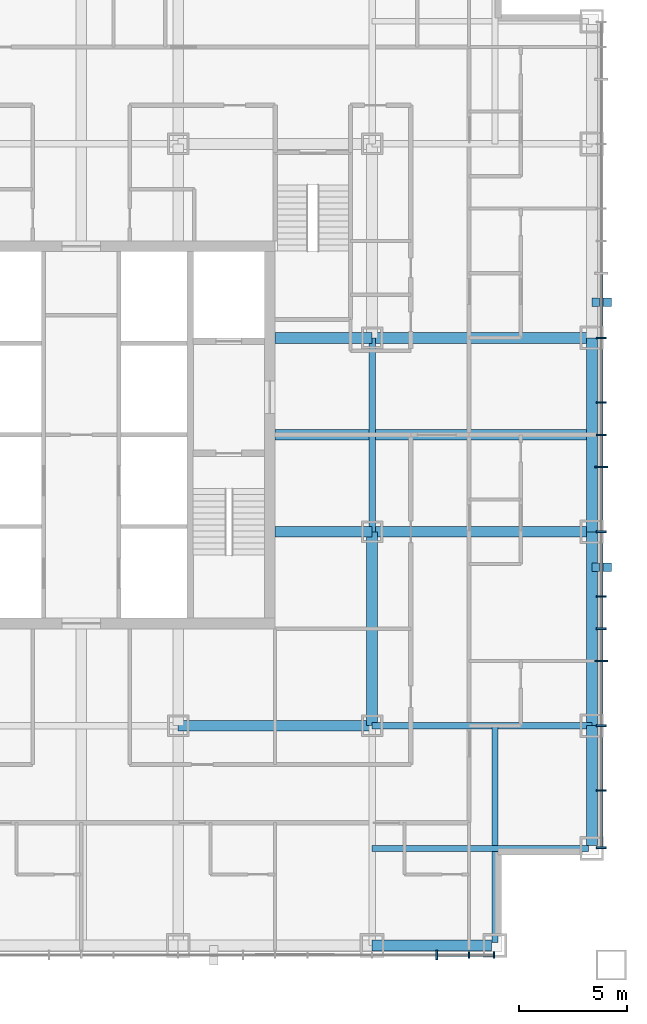
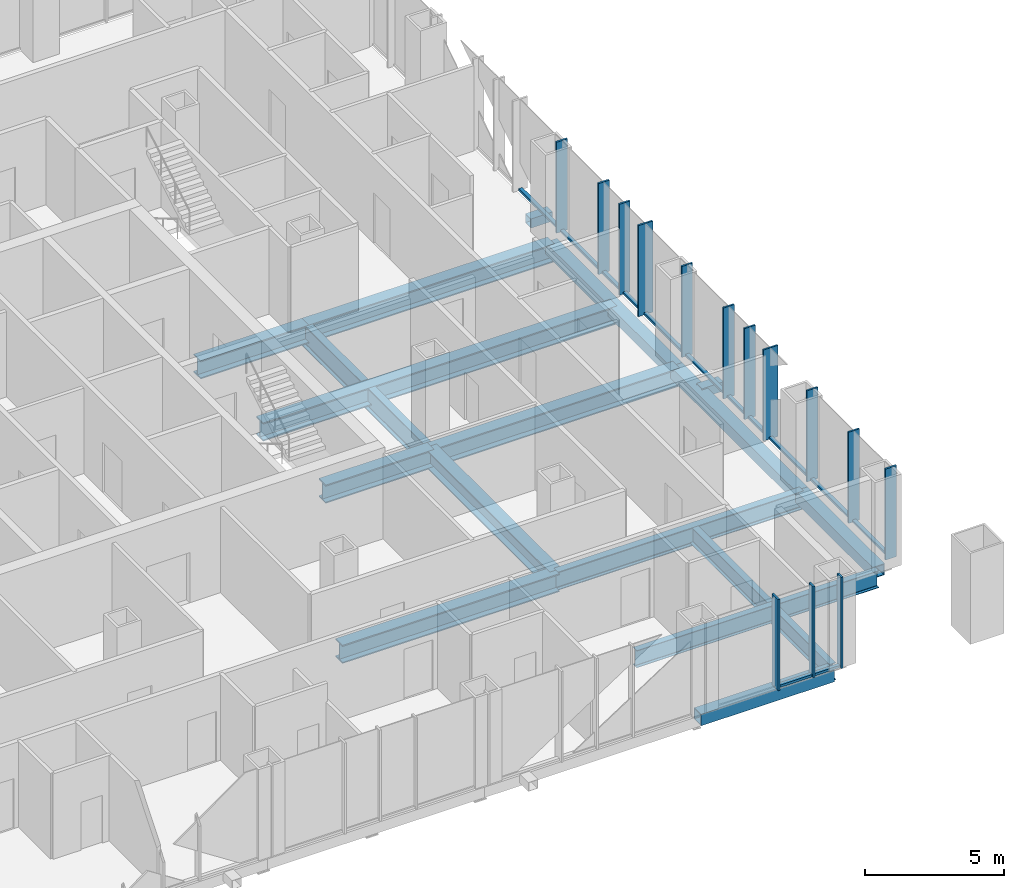
# One storey, part 4 of 13: 29 members, 15 beams, 2 elements without a shape of their own.
"""IFC4 building model written with IfcOpenShell, lengths in metres."""

from ifc_helpers import new_model, si_unit, direction, frame, origin, origin_2d, place, context, subcontext, project, spatial, rectangle, hollow_rectangle, i_section, extrude, material, layer, layer_set, material_profile, profile_set, type_object, element, aggregate, save


model = new_model("IFC4")

# Units and contexts
model_context = context("Model", 3, precision=1e-05, world=origin(), true_north=direction((0.0, 1.0)))
body_context = subcontext(model_context, "Body", "Model", "MODEL_VIEW")
ifc_project = project(units=[si_unit("LENGTHUNIT", "METRE"), si_unit("AREAUNIT", "SQUARE_METRE"), si_unit("VOLUMEUNIT", "CUBIC_METRE"), si_unit("PLANEANGLEUNIT", "RADIAN"), si_unit("MASSUNIT", "GRAM", prefix="KILO")], contexts=[model_context])

# Site, building, storey
site_placement = place(None, origin())
site = spatial("IfcSite", under=ifc_project, at=site_placement, CompositionType="ELEMENT")
building_placement = place(site_placement, origin())
building = spatial("IfcBuilding", under=site, at=building_placement, Name="Malebo Sky Hospital", CompositionType="ELEMENT")
storey_placement = place(building_placement, frame((0.0, 0.0, 160.0)))
storey = spatial("IfcBuildingStorey", under=building, at=storey_placement, Name="L38", CompositionType="ELEMENT", Elevation=160.0)

# Curtain wall, members
ifc_material_1 = material(Name="Anodised aluminium, natural silver", Category="aluminium")
ifc_layer_1 = layer(ifc_material_1, 0.25)
ifc_layer_set_1 = layer_set([ifc_layer_1], Name="WARD CURTAIN WALL NORTH AND SOUTH")
curtain_wall_type_1 = type_object("IfcCurtainWallType", Name="WARD CURTAIN WALL NORTH AND SOUTH", PredefinedType="NOTDEFINED", material=ifc_layer_set_1)
curtain_wall_1_placement = place(storey_placement, origin())
curtain_wall_1 = element("IfcCurtainWall", 1, at=curtain_wall_1_placement, inside=storey, type_object=curtain_wall_type_1, Name="NS curtain wall S", PredefinedType="NOTDEFINED")
ifc_material_profile_1 = material_profile(ifc_material_1, rectangle(XDim=0.14990234375, YDim=0.10009765625, at=origin_2d()), Name="ALUMINIUM TRANSOM 150x100")
ifc_profile_set_1 = profile_set([ifc_material_profile_1], Name="Anodised aluminium, natural silver")
member_type_1 = type_object("IfcMemberType", Name="ALUMINIUM TRANSOM 150x100", PredefinedType="USERDEFINED", material=ifc_profile_set_1)
member_1_placement = place(storey_placement, frame((79.125, 37.864990234375, 0.050048828125), z_axis=(-1.0, 0.0, 0.0), x_axis=(0.0, -1.0, 0.0)))
member_1 = element("IfcMember", 2, at=member_1_placement, type_object=member_type_1, Name="Transom 1", ObjectType="TRANSOM", PredefinedType="USERDEFINED", context=body_context, shape_type="SweptSolid", body=[
    extrude(rectangle(XDim=0.14990234375, YDim=0.10009765625, at=origin_2d()), origin(), (0.0, 0.0, 1.0), 1.08740234375),
])
member_2_placement = place(storey_placement, frame((77.96240234375, 37.864990234375, 0.050048828125), z_axis=(-1.0, 0.0, 0.0), x_axis=(0.0, -1.0, 0.0)))
member_2 = element("IfcMember", 3, at=member_2_placement, type_object=member_type_1, Name="Transom 2", ObjectType="TRANSOM", PredefinedType="USERDEFINED", context=body_context, shape_type="SweptSolid", body=[
    extrude(rectangle(XDim=0.14990234375, YDim=0.10009765625, at=origin_2d()), origin(), (0.0, 0.0, 1.0), 1.4248046875),
])

ifc_layer_2 = layer(ifc_material_1, 0.25)
ifc_layer_set_2 = layer_set([ifc_layer_2], Name="WARD CURTAIN WALL EAST AND WEST")
curtain_wall_type_2 = type_object("IfcCurtainWallType", Name="WARD CURTAIN WALL EAST AND WEST", PredefinedType="NOTDEFINED", material=ifc_layer_set_2)
curtain_wall_2_placement = place(storey_placement, origin())
curtain_wall_2 = element("IfcCurtainWall", 4, at=curtain_wall_2_placement, inside=storey, type_object=curtain_wall_type_2, Name="EW curtain wall E", PredefinedType="NOTDEFINED")
member_3_placement = place(storey_placement, frame((84.135009765625, 69.46240234375, 0.050048828125), z_axis=(0.0, -1.0, 0.0), x_axis=(1.0, 0.0, 0.0)))
member_3 = element("IfcMember", 5, at=member_3_placement, type_object=member_type_1, Name="Transom 7", ObjectType="TRANSOM", PredefinedType="USERDEFINED", context=body_context, shape_type="SweptSolid", body=[
    extrude(rectangle(XDim=0.14990234375, YDim=0.10009765625, at=origin_2d()), origin(), (0.0, 0.0, 1.0), 2.9248046875),
])
member_4_placement = place(storey_placement, frame((84.135009765625, 66.46240234375, 0.050048828125), z_axis=(0.0, -1.0, 0.0), x_axis=(1.0, 0.0, 0.0)))
member_4 = element("IfcMember", 6, at=member_4_placement, type_object=member_type_1, Name="Transom 8", ObjectType="TRANSOM", PredefinedType="USERDEFINED", context=body_context, shape_type="SweptSolid", body=[
    extrude(rectangle(XDim=0.14990234375, YDim=0.10009765625, at=origin_2d()), origin(), (0.0, 0.0, 1.0), 2.9248046875),
])
member_5_placement = place(storey_placement, frame((84.135009765625, 63.46240234375, 0.050048828125), z_axis=(0.0, -1.0, 0.0), x_axis=(1.0, 0.0, 0.0)))
member_5 = element("IfcMember", 7, at=member_5_placement, type_object=member_type_1, Name="Transom 9", ObjectType="TRANSOM", PredefinedType="USERDEFINED", context=body_context, shape_type="SweptSolid", body=[
    extrude(rectangle(XDim=0.14990234375, YDim=0.10009765625, at=origin_2d()), origin(), (0.0, 0.0, 1.0), 1.4248046875),
])
member_6_placement = place(storey_placement, frame((84.135009765625, 61.96240234375, 0.050048828125), z_axis=(0.0, -1.0, 0.0), x_axis=(1.0, 0.0, 0.0)))
member_6 = element("IfcMember", 8, at=member_6_placement, type_object=member_type_1, Name="Transom 10", ObjectType="TRANSOM", PredefinedType="USERDEFINED", context=body_context, shape_type="SweptSolid", body=[
    extrude(rectangle(XDim=0.14990234375, YDim=0.10009765625, at=origin_2d()), origin(), (0.0, 0.0, 1.0), 1.4248046875),
])
member_7_placement = place(storey_placement, frame((84.135009765625, 60.46240234375, 0.050048828125), z_axis=(0.0, -1.0, 0.0), x_axis=(1.0, 0.0, 0.0)))
member_7 = element("IfcMember", 9, at=member_7_placement, type_object=member_type_1, Name="Transom 11", ObjectType="TRANSOM", PredefinedType="USERDEFINED", context=body_context, shape_type="SweptSolid", body=[
    extrude(rectangle(XDim=0.14990234375, YDim=0.10009765625, at=origin_2d()), origin(), (0.0, 0.0, 1.0), 2.9248046875),
])
member_8_placement = place(storey_placement, frame((84.135009765625, 57.46240234375, 0.050048828125), z_axis=(0.0, -1.0, 0.0), x_axis=(1.0, 0.0, 0.0)))
member_8 = element("IfcMember", 10, at=member_8_placement, type_object=member_type_1, Name="Transom 12", ObjectType="TRANSOM", PredefinedType="USERDEFINED", context=body_context, shape_type="SweptSolid", body=[
    extrude(rectangle(XDim=0.14990234375, YDim=0.10009765625, at=origin_2d()), origin(), (0.0, 0.0, 1.0), 2.9248046875),
])
member_9_placement = place(storey_placement, frame((84.135009765625, 54.46240234375, 0.050048828125), z_axis=(0.0, -1.0, 0.0), x_axis=(1.0, 0.0, 0.0)))
member_9 = element("IfcMember", 11, at=member_9_placement, type_object=member_type_1, Name="Transom 13", ObjectType="TRANSOM", PredefinedType="USERDEFINED", context=body_context, shape_type="SweptSolid", body=[
    extrude(rectangle(XDim=0.14990234375, YDim=0.10009765625, at=origin_2d()), origin(), (0.0, 0.0, 1.0), 1.4248046875),
])
member_10_placement = place(storey_placement, frame((84.135009765625, 52.96240234375, 0.050048828125), z_axis=(0.0, -1.0, 0.0), x_axis=(1.0, 0.0, 0.0)))
member_10 = element("IfcMember", 12, at=member_10_placement, type_object=member_type_1, Name="Transom 14", ObjectType="TRANSOM", PredefinedType="USERDEFINED", context=body_context, shape_type="SweptSolid", body=[
    extrude(rectangle(XDim=0.14990234375, YDim=0.10009765625, at=origin_2d()), origin(), (0.0, 0.0, 1.0), 1.4248046875),
])
member_11_placement = place(storey_placement, frame((84.135009765625, 51.46240234375, 0.050048828125), z_axis=(0.0, -1.0, 0.0), x_axis=(1.0, 0.0, 0.0)))
member_11 = element("IfcMember", 13, at=member_11_placement, type_object=member_type_1, Name="Transom 15", ObjectType="TRANSOM", PredefinedType="USERDEFINED", context=body_context, shape_type="SweptSolid", body=[
    extrude(rectangle(XDim=0.14990234375, YDim=0.10009765625, at=origin_2d()), origin(), (0.0, 0.0, 1.0), 2.9248046875),
])
member_12_placement = place(storey_placement, frame((84.135009765625, 48.46240234375, 0.050048828125), z_axis=(0.0, -1.0, 0.0), x_axis=(1.0, 0.0, 0.0)))
member_12 = element("IfcMember", 14, at=member_12_placement, type_object=member_type_1, Name="Transom 16", ObjectType="TRANSOM", PredefinedType="USERDEFINED", context=body_context, shape_type="SweptSolid", body=[
    extrude(rectangle(XDim=0.14990234375, YDim=0.10009765625, at=origin_2d()), origin(), (0.0, 0.0, 1.0), 2.9248046875),
])
member_13_placement = place(storey_placement, frame((84.135009765625, 45.46240234375, 0.050048828125), z_axis=(0.0, -1.0, 0.0), x_axis=(1.0, 0.0, 0.0)))
member_13 = element("IfcMember", 15, at=member_13_placement, type_object=member_type_1, Name="Transom 17", ObjectType="TRANSOM", PredefinedType="USERDEFINED", context=body_context, shape_type="SweptSolid", body=[
    extrude(rectangle(XDim=0.14990234375, YDim=0.10009765625, at=origin_2d()), origin(), (0.0, 0.0, 1.0), 2.58740234375),
])

# Members
ifc_material_2 = material(Name="Steel S355", Category="steel")
ifc_material_profile_2 = material_profile(ifc_material_2, hollow_rectangle(XDim=0.39990234375, YDim=0.39990234375, WallThickness=0.02001953125, at=origin_2d()), Name="SHS 400x20")
ifc_profile_set_2 = profile_set([ifc_material_profile_2], Name="Steel S355")
member_type_2 = type_object("IfcMemberType", Name="BRACE STRUT SHS 400x20", PredefinedType="STRUT", material=ifc_profile_set_2)
for number, where, z_axis, x_axis, name in (
    (16, (84.60009765625, 68.14990234375, -0.39990234375), (-1.0, 0.0, 0.0), (0.0, -1.0, 0.0), "Brace strut BE1 L38"),
    (17, (84.60009765625, 55.85009765625, -0.39990234375), (-1.0, 0.0, 0.0), (0.0, -1.0, 0.0), "Brace strut BE2 L38"),
):
    element("IfcMember", number, at=place(storey_placement, frame(where, z_axis=z_axis, x_axis=x_axis)), inside=storey, type_object=member_type_2, Name=name, PredefinedType="STRUT", context=body_context, shape_type="SweptSolid", body=[
        extrude(hollow_rectangle(XDim=0.39990234375, YDim=0.39990234375, WallThickness=0.02001953125, at=origin_2d()), origin(), (0.0, 0.0, 1.0), 0.900146484375),
    ])

# Member
ifc_material_profile_3 = material_profile(ifc_material_1, rectangle(XDim=0.074951171875, YDim=0.300048828125, at=origin_2d()), Name="CW1 ALUMINIUM FIN MULLION 75x300")
ifc_profile_set_3 = profile_set([ifc_material_profile_3], Name="Anodised aluminium, natural silver")
member_type_3 = type_object("IfcMemberType", Name="CW1 ALUMINIUM FIN MULLION 75x300", PredefinedType="MULLION", material=ifc_profile_set_3)
member_14_placement = place(storey_placement, frame((79.16259765625, 37.864990234375, 0.0), z_axis=(0.0, 0.0, 1.0), x_axis=(-1.0, 0.0, 0.0)))
member_14 = element("IfcMember", 18, at=member_14_placement, type_object=member_type_3, Name="Fin mullion 1", PredefinedType="MULLION", context=body_context, shape_type="SweptSolid", body=[
    extrude(rectangle(XDim=0.074951171875, YDim=0.300048828125, at=origin_2d()), origin(), (0.0, 0.0, 1.0), 4.0),
])

member_15_placement = place(storey_placement, frame((78.0, 37.864990234375, 0.0), z_axis=(0.0, 0.0, 1.0), x_axis=(-1.0, 0.0, 0.0)))
member_15 = element("IfcMember", 19, at=member_15_placement, type_object=member_type_3, Name="Fin mullion 2", PredefinedType="MULLION", context=body_context, shape_type="SweptSolid", body=[
    extrude(rectangle(XDim=0.074951171875, YDim=0.300048828125, at=origin_2d()), origin(), (0.0, 0.0, 1.0), 4.0),
])

ifc_material_profile_4 = material_profile(ifc_material_1, rectangle(XDim=0.074951171875, YDim=0.449951171875, at=origin_2d()), Name="CW1 ALUMINIUM FIN MULLION 75x450")
ifc_profile_set_4 = profile_set([ifc_material_profile_4], Name="Anodised aluminium, natural silver")
member_type_4 = type_object("IfcMemberType", Name="CW1 ALUMINIUM FIN MULLION 75x450", PredefinedType="MULLION", material=ifc_profile_set_4)
member_16_placement = place(storey_placement, frame((76.5, 37.864990234375, 0.0), z_axis=(0.0, 0.0, 1.0), x_axis=(-1.0, 0.0, 0.0)))
member_16 = element("IfcMember", 20, at=member_16_placement, type_object=member_type_4, Name="Fin mullion 3", PredefinedType="MULLION", context=body_context, shape_type="SweptSolid", body=[
    extrude(rectangle(XDim=0.074951171875, YDim=0.449951171875, at=origin_2d()), origin(), (0.0, 0.0, 1.0), 4.0),
])

aggregate(curtain_wall_1, [member_14, member_15, member_16, member_1, member_2])

ifc_material_profile_5 = material_profile(ifc_material_1, rectangle(XDim=0.074951171875, YDim=0.449951171875, at=origin_2d()), Name="CW2 ALUMINIUM FIN MULLION 75x450")
ifc_profile_set_5 = profile_set([ifc_material_profile_5], Name="Anodised aluminium, natural silver")
member_type_5 = type_object("IfcMemberType", Name="CW2 ALUMINIUM FIN MULLION 75x450", PredefinedType="MULLION", material=ifc_profile_set_5)
member_17_placement = place(storey_placement, frame((84.135009765625, 66.5, 0.0), z_axis=(0.0, 0.0, 1.0), x_axis=(0.0, -1.0, 0.0)))
member_17 = element("IfcMember", 21, at=member_17_placement, type_object=member_type_5, Name="Fin mullion 8", PredefinedType="MULLION", context=body_context, shape_type="SweptSolid", body=[
    extrude(rectangle(XDim=0.074951171875, YDim=0.449951171875, at=origin_2d()), origin(), (0.0, 0.0, 1.0), 4.0),
])

member_18_placement = place(storey_placement, frame((84.135009765625, 63.5, 0.0), z_axis=(0.0, 0.0, 1.0), x_axis=(0.0, -1.0, 0.0)))
member_18 = element("IfcMember", 22, at=member_18_placement, type_object=member_type_5, Name="Fin mullion 9", PredefinedType="MULLION", context=body_context, shape_type="SweptSolid", body=[
    extrude(rectangle(XDim=0.074951171875, YDim=0.449951171875, at=origin_2d()), origin(), (0.0, 0.0, 1.0), 4.0),
])

member_19_placement = place(storey_placement, frame((84.135009765625, 62.0, 0.0), z_axis=(0.0, 0.0, 1.0), x_axis=(0.0, -1.0, 0.0)))
member_19 = element("IfcMember", 23, at=member_19_placement, type_object=member_type_5, Name="Fin mullion 10", PredefinedType="MULLION", context=body_context, shape_type="SweptSolid", body=[
    extrude(rectangle(XDim=0.074951171875, YDim=0.449951171875, at=origin_2d()), origin(), (0.0, 0.0, 1.0), 4.0),
])

member_20_placement = place(storey_placement, frame((84.135009765625, 57.5, 0.0), z_axis=(0.0, 0.0, 1.0), x_axis=(0.0, -1.0, 0.0)))
member_20 = element("IfcMember", 24, at=member_20_placement, type_object=member_type_5, Name="Fin mullion 12", PredefinedType="MULLION", context=body_context, shape_type="SweptSolid", body=[
    extrude(rectangle(XDim=0.074951171875, YDim=0.449951171875, at=origin_2d()), origin(), (0.0, 0.0, 1.0), 4.0),
])

member_21_placement = place(storey_placement, frame((84.135009765625, 54.5, 0.0), z_axis=(0.0, 0.0, 1.0), x_axis=(0.0, -1.0, 0.0)))
member_21 = element("IfcMember", 25, at=member_21_placement, type_object=member_type_5, Name="Fin mullion 13", PredefinedType="MULLION", context=body_context, shape_type="SweptSolid", body=[
    extrude(rectangle(XDim=0.074951171875, YDim=0.449951171875, at=origin_2d()), origin(), (0.0, 0.0, 1.0), 4.0),
])

member_22_placement = place(storey_placement, frame((84.135009765625, 53.0, 0.0), z_axis=(0.0, 0.0, 1.0), x_axis=(0.0, -1.0, 0.0)))
member_22 = element("IfcMember", 26, at=member_22_placement, type_object=member_type_5, Name="Fin mullion 14", PredefinedType="MULLION", context=body_context, shape_type="SweptSolid", body=[
    extrude(rectangle(XDim=0.074951171875, YDim=0.449951171875, at=origin_2d()), origin(), (0.0, 0.0, 1.0), 4.0),
])

member_23_placement = place(storey_placement, frame((84.135009765625, 48.5, 0.0), z_axis=(0.0, 0.0, 1.0), x_axis=(0.0, -1.0, 0.0)))
member_23 = element("IfcMember", 27, at=member_23_placement, type_object=member_type_5, Name="Fin mullion 16", PredefinedType="MULLION", context=body_context, shape_type="SweptSolid", body=[
    extrude(rectangle(XDim=0.074951171875, YDim=0.449951171875, at=origin_2d()), origin(), (0.0, 0.0, 1.0), 4.0),
])

member_24_placement = place(storey_placement, frame((84.135009765625, 45.5, 0.0), z_axis=(0.0, 0.0, 1.0), x_axis=(0.0, -1.0, 0.0)))
member_24 = element("IfcMember", 28, at=member_24_placement, type_object=member_type_5, Name="Fin mullion 17", PredefinedType="MULLION", context=body_context, shape_type="SweptSolid", body=[
    extrude(rectangle(XDim=0.074951171875, YDim=0.449951171875, at=origin_2d()), origin(), (0.0, 0.0, 1.0), 4.0),
])

member_25_placement = place(storey_placement, frame((84.135009765625, 42.83740234375, 0.0), z_axis=(0.0, 0.0, 1.0), x_axis=(0.0, -1.0, 0.0)))
member_25 = element("IfcMember", 29, at=member_25_placement, type_object=member_type_5, Name="Fin mullion 18", PredefinedType="MULLION", context=body_context, shape_type="SweptSolid", body=[
    extrude(rectangle(XDim=0.074951171875, YDim=0.449951171875, at=origin_2d()), origin(), (0.0, 0.0, 1.0), 4.0),
])

ifc_material_profile_6 = material_profile(ifc_material_1, rectangle(XDim=0.074951171875, YDim=0.60009765625, at=origin_2d()), Name="CW2 ALUMINIUM FIN MULLION 75x600")
ifc_profile_set_6 = profile_set([ifc_material_profile_6], Name="Anodised aluminium, natural silver")
member_type_6 = type_object("IfcMemberType", Name="CW2 ALUMINIUM FIN MULLION 75x600", PredefinedType="MULLION", material=ifc_profile_set_6)
member_26_placement = place(storey_placement, frame((84.135009765625, 60.5, 0.0), z_axis=(0.0, 0.0, 1.0), x_axis=(0.0, -1.0, 0.0)))
member_26 = element("IfcMember", 30, at=member_26_placement, type_object=member_type_6, Name="Fin mullion 11", PredefinedType="MULLION", context=body_context, shape_type="SweptSolid", body=[
    extrude(rectangle(XDim=0.074951171875, YDim=0.60009765625, at=origin_2d()), origin(), (0.0, 0.0, 1.0), 4.0),
])

member_27_placement = place(storey_placement, frame((84.135009765625, 51.5, 0.0), z_axis=(0.0, 0.0, 1.0), x_axis=(0.0, -1.0, 0.0)))
member_27 = element("IfcMember", 31, at=member_27_placement, type_object=member_type_6, Name="Fin mullion 15", PredefinedType="MULLION", context=body_context, shape_type="SweptSolid", body=[
    extrude(rectangle(XDim=0.074951171875, YDim=0.60009765625, at=origin_2d()), origin(), (0.0, 0.0, 1.0), 4.0),
])

aggregate(curtain_wall_2, [member_17, member_18, member_19, member_26, member_20, member_21, member_22, member_27, member_23, member_24, member_25, member_3, member_4, member_5, member_6, member_7, member_8, member_9, member_10, member_11, member_12, member_13])

# Beams
ifc_material_3 = material(Name="Steel S460", Category="steel")
ifc_material_profile_7 = material_profile(ifc_material_3, hollow_rectangle(XDim=0.5, YDim=0.5, WallThickness=0.030029296875, at=origin_2d()), Name="BOX 500x500x30")
ifc_profile_set_7 = profile_set([ifc_material_profile_7], Name="Steel S460")
beam_type_1 = type_object("IfcBeamType", Name="EDGE BEAM BOX 500x500x30", PredefinedType="BEAM", material=ifc_profile_set_7)
beam_1_placement = place(storey_placement, frame((83.699951171875, 42.949951171875, -0.5), z_axis=(0.0, 1.0, 0.0), x_axis=(-1.0, 0.0, 0.0)))
element("IfcBeam", 32, at=beam_1_placement, inside=storey, type_object=beam_type_1, Name="Beam 029 L38", PredefinedType="BEAM", context=body_context, shape_type="SweptSolid", body=[
    extrude(hollow_rectangle(XDim=0.5, YDim=0.5, WallThickness=0.030029296875, at=origin_2d()), origin(), (0.0, 0.0, 1.0), 5.550048828125),
])
for number, where, z_axis, x_axis, name in (
    (33, (83.699951171875, 48.5, -0.5), (0.0, 1.0, 0.0), (-1.0, 0.0, 0.0), "Beam 030 L38"),
    (34, (83.699951171875, 57.5, -0.5), (0.0, 1.0, 0.0), (-1.0, 0.0, 0.0), "Beam 031 L38"),
):
    element("IfcBeam", number, at=place(storey_placement, frame(where, z_axis=z_axis, x_axis=x_axis)), inside=storey, type_object=beam_type_1, Name=name, PredefinedType="BEAM", context=body_context, shape_type="SweptSolid", body=[
        extrude(hollow_rectangle(XDim=0.5, YDim=0.5, WallThickness=0.030029296875, at=origin_2d()), origin(), (0.0, 0.0, 1.0), 9.0),
    ])
beam_2_placement = place(storey_placement, frame((73.5, 38.300048828125, -0.5), z_axis=(1.0, 0.0, 0.0), x_axis=(0.0, 1.0, 0.0)))
element("IfcBeam", 35, at=beam_2_placement, inside=storey, type_object=beam_type_1, Name="Beam 038 L38", PredefinedType="BEAM", context=body_context, shape_type="SweptSolid", body=[
    extrude(hollow_rectangle(XDim=0.5, YDim=0.5, WallThickness=0.030029296875, at=origin_2d()), origin(), (0.0, 0.0, 1.0), 5.550048828125),
])
ifc_material_profile_8 = material_profile(ifc_material_2, i_section(OverallWidth=0.262939453125, OverallDepth=0.7529296875, WebThickness=0.011474609375, FlangeThickness=0.01708984375, FilletRadius=0.01708984375, at=origin_2d()), Name="IPE 750x137")
ifc_profile_set_8 = profile_set([ifc_material_profile_8], Name="Steel S355")
beam_type_2 = type_object("IfcBeamType", Name="FLOOR BEAM IPE 750x137", PredefinedType="BEAM", material=ifc_profile_set_8)
for number, where, z_axis, x_axis, name in (
    (36, (79.199951171875, 38.449951171875, -0.62646484375), (0.0, 1.0, 0.0), (-1.0, 0.0, 0.0), "Beam 027 L38"),
    (37, (73.5, 42.800048828125, -0.62646484375), (1.0, 0.0, 0.0), (0.0, 1.0, 0.0), "Beam 040 L38"),
):
    element("IfcBeam", number, at=place(storey_placement, frame(where, z_axis=z_axis, x_axis=x_axis)), inside=storey, type_object=beam_type_2, Name=name, PredefinedType="BEAM", context=body_context, shape_type="SweptSolid", body=[
        extrude(i_section(OverallWidth=0.262939453125, OverallDepth=0.7529296875, WebThickness=0.011474609375, FlangeThickness=0.01708984375, FilletRadius=0.01708984375, at=origin_2d()), origin(), (0.0, 0.0, 1.0), 10.050048828125),
    ])
ifc_material_profile_9 = material_profile(ifc_material_2, i_section(OverallWidth=0.5, OverallDepth=0.800048828125, WebThickness=0.030029296875, FlangeThickness=0.050048828125, at=origin_2d()), Name="PG 800x500x30x50")
ifc_profile_set_9 = profile_set([ifc_material_profile_9], Name="Steel S355")
beam_type_3 = type_object("IfcBeamType", Name="FLOOR BEAM PG 800x500x30x50", PredefinedType="BEAM", material=ifc_profile_set_9)
for number, where, z_axis, x_axis, name in (
    (38, (73.5, 48.5, -0.64990234375), (0.0, 1.0, 0.0), (-1.0, 0.0, 0.0), "Beam 023 L38"),
    (39, (64.5, 48.5, -0.64990234375), (1.0, 0.0, 0.0), (0.0, 1.0, 0.0), "Beam 044 L38"),
):
    element("IfcBeam", number, at=place(storey_placement, frame(where, z_axis=z_axis, x_axis=x_axis)), inside=storey, type_object=beam_type_3, Name=name, PredefinedType="BEAM", context=body_context, shape_type="SweptSolid", body=[
        extrude(i_section(OverallWidth=0.5, OverallDepth=0.800048828125, WebThickness=0.030029296875, FlangeThickness=0.050048828125, at=origin_2d()), origin(), (0.0, 0.0, 1.0), 9.0),
    ])
beam_3_placement = place(storey_placement, frame((69.0, 57.5, -0.64990234375), z_axis=(1.0, 0.0, 0.0), x_axis=(0.0, 1.0, 0.0)))
element("IfcBeam", 40, at=beam_3_placement, inside=storey, type_object=beam_type_3, Name="Beam 048 L38", PredefinedType="BEAM", context=body_context, shape_type="SweptSolid", body=[
    extrude(i_section(OverallWidth=0.5, OverallDepth=0.800048828125, WebThickness=0.030029296875, FlangeThickness=0.050048828125, at=origin_2d()), origin(), (0.0, 0.0, 1.0), 4.5),
])
beam_4_placement = place(storey_placement, frame((73.5, 57.5, -0.64990234375), z_axis=(1.0, 0.0, 0.0), x_axis=(0.0, 1.0, 0.0)))
element("IfcBeam", 41, at=beam_4_placement, inside=storey, type_object=beam_type_3, Name="Beam 049 L38", PredefinedType="BEAM", context=body_context, shape_type="SweptSolid", body=[
    extrude(i_section(OverallWidth=0.5, OverallDepth=0.800048828125, WebThickness=0.030029296875, FlangeThickness=0.050048828125, at=origin_2d()), origin(), (0.0, 0.0, 1.0), 10.199951171875),
])
beam_5_placement = place(storey_placement, frame((69.0, 62.0, -0.64990234375), z_axis=(1.0, 0.0, 0.0), x_axis=(0.0, 1.0, 0.0)))
element("IfcBeam", 42, at=beam_5_placement, inside=storey, type_object=beam_type_3, Name="Beam 051 L38", PredefinedType="BEAM", context=body_context, shape_type="SweptSolid", body=[
    extrude(i_section(OverallWidth=0.5, OverallDepth=0.800048828125, WebThickness=0.030029296875, FlangeThickness=0.050048828125, at=origin_2d()), origin(), (0.0, 0.0, 1.0), 14.699951171875),
])
beam_6_placement = place(storey_placement, frame((69.0, 66.5, -0.64990234375), z_axis=(1.0, 0.0, 0.0), x_axis=(0.0, 1.0, 0.0)))
element("IfcBeam", 43, at=beam_6_placement, inside=storey, type_object=beam_type_3, Name="Beam 054 L38", PredefinedType="BEAM", context=body_context, shape_type="SweptSolid", body=[
    extrude(i_section(OverallWidth=0.5, OverallDepth=0.800048828125, WebThickness=0.030029296875, FlangeThickness=0.050048828125, at=origin_2d()), origin(), (0.0, 0.0, 1.0), 4.5),
])
beam_7_placement = place(storey_placement, frame((73.5, 66.5, -0.64990234375), z_axis=(1.0, 0.0, 0.0), x_axis=(0.0, 1.0, 0.0)))
element("IfcBeam", 44, at=beam_7_placement, inside=storey, type_object=beam_type_3, Name="Beam 055 L38", PredefinedType="BEAM", context=body_context, shape_type="SweptSolid", body=[
    extrude(i_section(OverallWidth=0.5, OverallDepth=0.800048828125, WebThickness=0.030029296875, FlangeThickness=0.050048828125, at=origin_2d()), origin(), (0.0, 0.0, 1.0), 10.199951171875),
])
ifc_material_profile_10 = material_profile(ifc_material_2, i_section(OverallWidth=0.300048828125, OverallDepth=0.800048828125, WebThickness=0.017578125, FlangeThickness=0.032958984375, FilletRadius=0.030029296875, at=origin_2d()), Name="HEB 800")
ifc_profile_set_10 = profile_set([ifc_material_profile_10], Name="Steel S355")
beam_type_4 = type_object("IfcBeamType", Name="FLOOR GIRDER HEB 800", PredefinedType="BEAM", material=ifc_profile_set_10)
beam_8_placement = place(storey_placement, frame((73.5, 48.5, -0.64990234375), z_axis=(1.0, 0.0, 0.0), x_axis=(0.0, 1.0, 0.0)))
element("IfcBeam", 45, at=beam_8_placement, inside=storey, type_object=beam_type_4, Name="Beam 045 L38", PredefinedType="BEAM", context=body_context, shape_type="SweptSolid", body=[
    extrude(i_section(OverallWidth=0.300048828125, OverallDepth=0.800048828125, WebThickness=0.017578125, FlangeThickness=0.032958984375, FilletRadius=0.030029296875, at=origin_2d()), origin(), (0.0, 0.0, 1.0), 10.199951171875),
])
ifc_material_profile_11 = material_profile(ifc_material_2, i_section(OverallWidth=0.300048828125, OverallDepth=1.0, WebThickness=0.01904296875, FlangeThickness=0.035888671875, FilletRadius=0.030029296875, at=origin_2d()), Name="HEB 1000")
ifc_profile_set_11 = profile_set([ifc_material_profile_11], Name="Steel S355")
beam_type_5 = type_object("IfcBeamType", Name="RING GIRDER HEB 1000", PredefinedType="BEAM", material=ifc_profile_set_11)
beam_9_placement = place(storey_placement, frame((73.5, 57.5, -0.75), z_axis=(0.0, 1.0, 0.0), x_axis=(-1.0, 0.0, 0.0)))
element("IfcBeam", 46, at=beam_9_placement, inside=storey, type_object=beam_type_5, Name="Beam 024 L38", PredefinedType="BEAM", context=body_context, shape_type="SweptSolid", body=[
    extrude(i_section(OverallWidth=0.300048828125, OverallDepth=1.0, WebThickness=0.01904296875, FlangeThickness=0.035888671875, FilletRadius=0.030029296875, at=origin_2d()), origin(), (0.0, 0.0, 1.0), 9.0),
])

save(model, "model.ifc")
